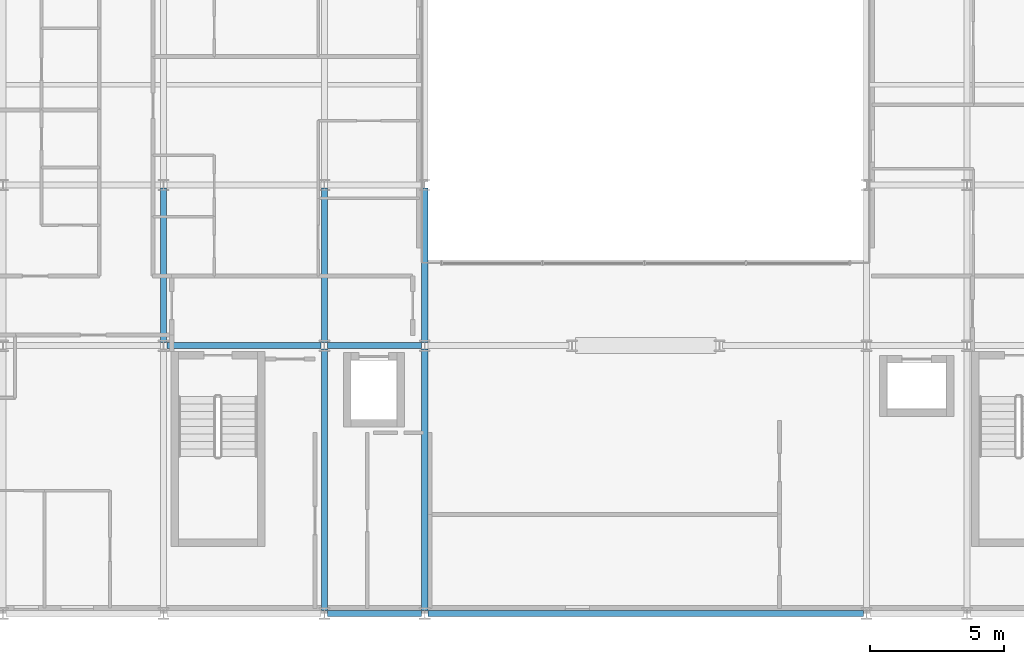
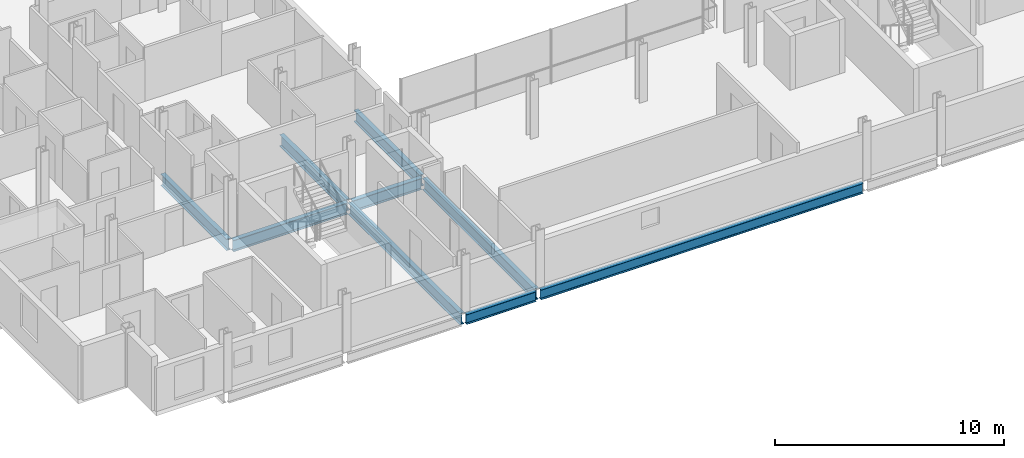
# One storey, part 3 of 38: 9 beams.
"""IFC4 building model written with IfcOpenShell, lengths in metres."""

from ifc_helpers import new_model, si_unit, direction, frame, origin, origin_2d, place, context, subcontext, project, spatial, i_section, extrude, material, material_profile, profile_set, type_object, element, save


model = new_model("IFC4")

# Units and contexts
model_context = context("Model", 3, precision=1e-05, world=origin(), true_north=direction((0.0, 1.0)))
body_context = subcontext(model_context, "Body", "Model", "MODEL_VIEW")
ifc_project = project(units=[si_unit("LENGTHUNIT", "METRE"), si_unit("AREAUNIT", "SQUARE_METRE"), si_unit("VOLUMEUNIT", "CUBIC_METRE"), si_unit("PLANEANGLEUNIT", "RADIAN"), si_unit("MASSUNIT", "GRAM", prefix="KILO")], contexts=[model_context])

# Site, building, storey
site_placement = place(None, origin())
site = spatial("IfcSite", under=ifc_project, at=site_placement, CompositionType="ELEMENT")
building_placement = place(site_placement, origin())
building = spatial("IfcBuilding", under=site, at=building_placement, Name="Brevholm Reach", CompositionType="ELEMENT")
storey_placement = place(building_placement, frame((0.0, 0.0, 128.300048828125)))
storey = spatial("IfcBuildingStorey", under=building, at=storey_placement, Name="L38", CompositionType="ELEMENT", Elevation=128.300048828125)

# Beams
ifc_material_1 = material(Name="Structural Steel S355J2", Category="steel")
ifc_material_profile_1 = material_profile(ifc_material_1, i_section(OverallWidth=0.209228515625, OverallDepth=0.533203125, WebThickness=0.010009765625, FlangeThickness=0.015625, FilletRadius=0.0126953125, at=origin_2d()), Name="UKB 533x210x92")
ifc_profile_set_1 = profile_set([ifc_material_profile_1], Name="Structural Steel S355J2")
beam_type_1 = type_object("IfcBeamType", Name="BM-SP533", PredefinedType="SPANDREL", material=ifc_profile_set_1)
beam_1_placement = place(storey_placement, frame((18.1201171875, 0.0, -0.486572265625), z_axis=(1.0, 0.0, 0.0), x_axis=(0.0, 1.0, 0.0)))
element("IfcBeam", 1, at=beam_1_placement, inside=storey, type_object=beam_type_1, Name="L38 SP-02 Framing Beam", PredefinedType="SPANDREL", context=body_context, shape_type="SweptSolid", body=[
    extrude(i_section(OverallWidth=0.209228515625, OverallDepth=0.533203125, WebThickness=0.010009765625, FlangeThickness=0.015625, FilletRadius=0.0126953125, at=origin_2d()), origin(), (0.0, 0.0, 1.0), 3.509765625),
])
beam_2_placement = place(storey_placement, frame((21.8701171875, 0.0, -0.486572265625), z_axis=(1.0, 0.0, 0.0), x_axis=(0.0, 1.0, 0.0)))
element("IfcBeam", 2, at=beam_2_placement, inside=storey, type_object=beam_type_1, Name="L38 SP-02 Framing Beam", PredefinedType="SPANDREL", context=body_context, shape_type="SweptSolid", body=[
    extrude(i_section(OverallWidth=0.209228515625, OverallDepth=0.533203125, WebThickness=0.010009765625, FlangeThickness=0.015625, FilletRadius=0.0126953125, at=origin_2d()), origin(), (0.0, 0.0, 1.0), 16.259765625),
])
ifc_material_2 = material(Name="Structural Steel S355J2", Category="steel")
ifc_material_profile_2 = material_profile(ifc_material_2, i_section(OverallWidth=0.22900390625, OverallDepth=0.6123046875, WebThickness=0.011962890625, FlangeThickness=0.01953125, FilletRadius=0.0126953125, at=origin_2d()), Name="UKB 610x229x125")
ifc_profile_set_2 = profile_set([ifc_material_profile_2], Name="Structural Steel S355J2")
beam_type_2 = type_object("IfcBeamType", Name="BM-SP610", PredefinedType="SPANDREL", material=ifc_profile_set_2)
beam_3_placement = place(storey_placement, frame((12.1201171875, 10.0, -0.526123046875), z_axis=(1.0, 0.0, 0.0), x_axis=(0.0, 1.0, 0.0)))
element("IfcBeam", 3, at=beam_3_placement, inside=storey, type_object=beam_type_2, Name="L38 SP-01 Framing Beam", PredefinedType="SPANDREL", context=body_context, shape_type="SweptSolid", body=[
    extrude(i_section(OverallWidth=0.22900390625, OverallDepth=0.6123046875, WebThickness=0.011962890625, FlangeThickness=0.01953125, FilletRadius=0.0126953125, at=origin_2d()), origin(), (0.0, 0.0, 1.0), 5.759765625),
])
beam_4_placement = place(storey_placement, frame((18.1201171875, 10.0, -0.526123046875), z_axis=(1.0, 0.0, 0.0), x_axis=(0.0, 1.0, 0.0)))
element("IfcBeam", 4, at=beam_4_placement, inside=storey, type_object=beam_type_2, Name="L38 SP-01 Framing Beam", PredefinedType="SPANDREL", context=body_context, shape_type="SweptSolid", body=[
    extrude(i_section(OverallWidth=0.22900390625, OverallDepth=0.6123046875, WebThickness=0.011962890625, FlangeThickness=0.01953125, FilletRadius=0.0126953125, at=origin_2d()), origin(), (0.0, 0.0, 1.0), 3.509765625),
])
beam_5_placement = place(storey_placement, frame((12.0, 10.1201171875, -0.526123046875), z_axis=(0.0, 1.0, 0.0), x_axis=(-1.0, 0.0, 0.0)))
element("IfcBeam", 5, at=beam_5_placement, inside=storey, type_object=beam_type_2, Name="L38 SP-01 Framing Beam", PredefinedType="SPANDREL", context=body_context, shape_type="SweptSolid", body=[
    extrude(i_section(OverallWidth=0.22900390625, OverallDepth=0.6123046875, WebThickness=0.011962890625, FlangeThickness=0.01953125, FilletRadius=0.0126953125, at=origin_2d()), origin(), (0.0, 0.0, 1.0), 5.759765625),
])
beam_6_placement = place(storey_placement, frame((18.0, 0.1201171875, -0.526123046875), z_axis=(0.0, 1.0, 0.0), x_axis=(-1.0, 0.0, 0.0)))
element("IfcBeam", 6, at=beam_6_placement, inside=storey, type_object=beam_type_2, Name="L38 SP-01 Framing Beam", PredefinedType="SPANDREL", context=body_context, shape_type="SweptSolid", body=[
    extrude(i_section(OverallWidth=0.22900390625, OverallDepth=0.6123046875, WebThickness=0.011962890625, FlangeThickness=0.01953125, FilletRadius=0.0126953125, at=origin_2d()), origin(), (0.0, 0.0, 1.0), 9.759765625),
])
beam_7_placement = place(storey_placement, frame((18.0, 10.1201171875, -0.526123046875), z_axis=(0.0, 1.0, 0.0), x_axis=(-1.0, 0.0, 0.0)))
element("IfcBeam", 7, at=beam_7_placement, inside=storey, type_object=beam_type_2, Name="L38 SP-01 Framing Beam", PredefinedType="SPANDREL", context=body_context, shape_type="SweptSolid", body=[
    extrude(i_section(OverallWidth=0.22900390625, OverallDepth=0.6123046875, WebThickness=0.011962890625, FlangeThickness=0.01953125, FilletRadius=0.0126953125, at=origin_2d()), origin(), (0.0, 0.0, 1.0), 5.759765625),
])
beam_8_placement = place(storey_placement, frame((21.75, 0.1201171875, -0.526123046875), z_axis=(0.0, 1.0, 0.0), x_axis=(-1.0, 0.0, 0.0)))
element("IfcBeam", 8, at=beam_8_placement, inside=storey, type_object=beam_type_2, Name="L38 SP-01 Framing Beam", PredefinedType="SPANDREL", context=body_context, shape_type="SweptSolid", body=[
    extrude(i_section(OverallWidth=0.22900390625, OverallDepth=0.6123046875, WebThickness=0.011962890625, FlangeThickness=0.01953125, FilletRadius=0.0126953125, at=origin_2d()), origin(), (0.0, 0.0, 1.0), 9.759765625),
])
beam_9_placement = place(storey_placement, frame((21.75, 10.1201171875, -0.526123046875), z_axis=(0.0, 1.0, 0.0), x_axis=(-1.0, 0.0, 0.0)))
element("IfcBeam", 9, at=beam_9_placement, inside=storey, type_object=beam_type_2, Name="L38 SP-01 Framing Beam", PredefinedType="SPANDREL", context=body_context, shape_type="SweptSolid", body=[
    extrude(i_section(OverallWidth=0.22900390625, OverallDepth=0.6123046875, WebThickness=0.011962890625, FlangeThickness=0.01953125, FilletRadius=0.0126953125, at=origin_2d()), origin(), (0.0, 0.0, 1.0), 5.759765625),
])

save(model, "model.ifc")
